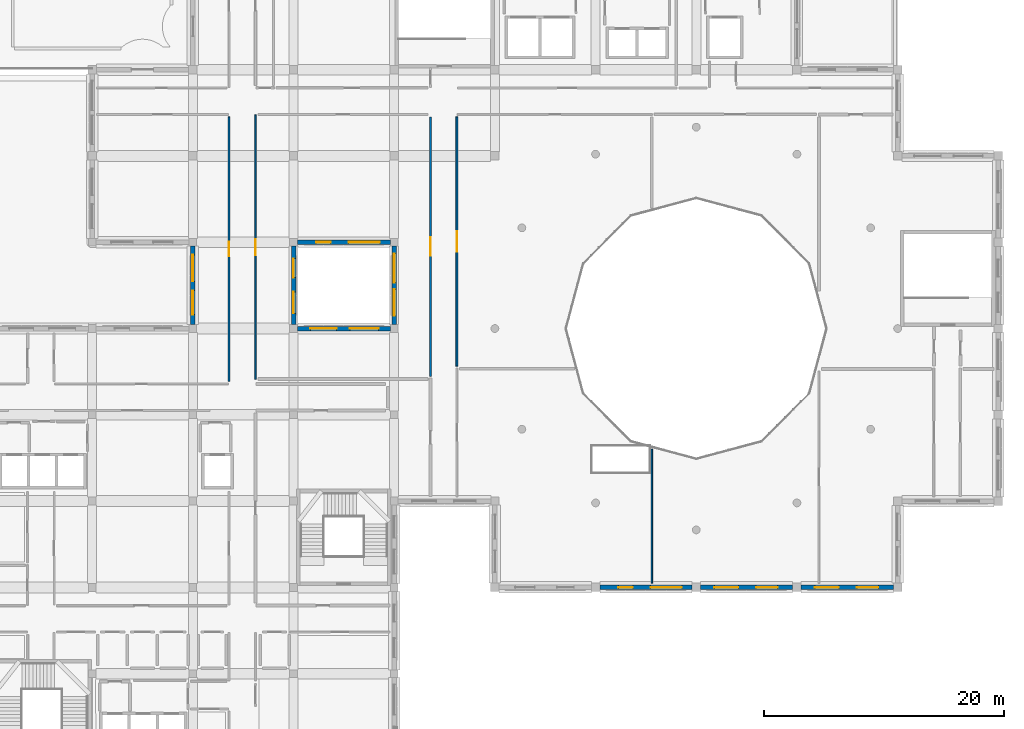
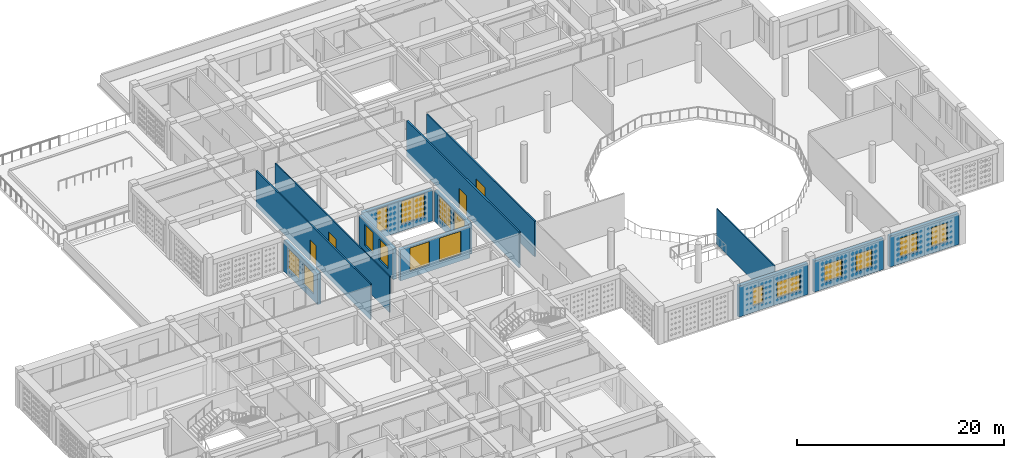
# One storey, part 10 of 47: 16 windows, 13 walls, 4 doors, 20 openings.
"""IFC4 building model written with IfcOpenShell, lengths in metres."""

from ifc_helpers import new_model, si_unit, derived_unit, direction, frame, frame_2d, origin, place, context, subcontext, project, spatial, rectangle, extrude, material, layer, layer_set, type_object, element, fill, save


model = new_model("IFC4")

# Units and contexts
model_context = context("Model", 3, precision=1e-05, world=origin(), true_north=direction((0.0, 1.0)))
body_context = subcontext(model_context, "Body", "Model", "MODEL_VIEW")
ifc_project = project(units=[si_unit("LENGTHUNIT", "METRE"), si_unit("AREAUNIT", "SQUARE_METRE"), si_unit("VOLUMEUNIT", "CUBIC_METRE"), si_unit("PLANEANGLEUNIT", "RADIAN"), si_unit("MASSUNIT", "GRAM", prefix="KILO"), derived_unit("THERMALTRANSMITTANCEUNIT", [(si_unit("POWERUNIT", "WATT"), 1), (si_unit("LENGTHUNIT", "METRE"), -2), (si_unit("THERMODYNAMICTEMPERATUREUNIT", "KELVIN"), -1)])], contexts=[model_context])

# Site, building, storey
site_placement = place(None, origin())
site = spatial("IfcSite", under=ifc_project, at=site_placement, CompositionType="ELEMENT")
building_placement = place(site_placement, origin())
building = spatial("IfcBuilding", under=site, at=building_placement, Name="Veybourne Emporium", CompositionType="ELEMENT")
storey_placement = place(building_placement, frame((0.0, 0.0, 23.39990234375)))
storey = spatial("IfcBuildingStorey", under=building, at=storey_placement, Name="L05", CompositionType="ELEMENT", Elevation=23.39990234375)

# Wall, openings, windows
ifc_material_1 = material(Name="Portland Limestone Ashlar", Category="masonry")
ifc_layer_1 = layer(ifc_material_1, 0.3798828125)
ifc_layer_set_1 = layer_set([ifc_layer_1], Name="Portland Limestone Ashlar")
wall_type_1 = type_object("IfcWallType", Name="ExtWall_EW-03", PredefinedType="SOLIDWALL", material=ifc_layer_set_1)
wall_1_placement = place(storey_placement, frame((42.0, 57.27490234375, 0.0), z_axis=(0.0, 0.0, 1.0), x_axis=(0.0, -1.0, 0.0)))
wall_1 = element("IfcWall", 1, at=wall_1_placement, inside=storey, type_object=wall_type_1, Name="L05 Portland stone external wall 021", PredefinedType="SOLIDWALL", context=body_context, shape_type="SweptSolid", body=[
    extrude(rectangle(XDim=6.5498046875, YDim=0.3798828125, at=frame_2d((3.27490234375, 0.0))), origin(), (0.0, 0.0, 1.0), 3.66015625),
])
opening_1_placement = place(wall_1_placement, frame((1.033935546875, 0.0, 0.75)))
opening_1 = element("IfcOpeningElement", 2, at=opening_1_placement, cuts=wall_1, Name="Opening W-27", PredefinedType="OPENING", context=body_context, shape_type="SweptSolid", body=[
    extrude(rectangle(XDim=1.60009765625, YDim=2.43994140625, at=frame_2d((0.800048828125, 1.219970703125))), frame((0.0, 0.2099609375, 0.0), z_axis=(0.0, -1.0, 0.0), x_axis=(1.0, 0.0, 0.0)), (0.0, 0.0, 1.0), 0.419921875),
])
opening_2_placement = place(wall_1_placement, frame((3.81591796875, 0.0, 0.75)))
opening_2 = element("IfcOpeningElement", 3, at=opening_2_placement, cuts=wall_1, Name="Opening W-28", PredefinedType="OPENING", context=body_context, shape_type="SweptSolid", body=[
    extrude(rectangle(XDim=1.800048828125, YDim=2.43994140625, at=frame_2d((0.89990234375, 1.219970703125))), frame((0.0, 0.2099609375, 0.0), z_axis=(0.0, -1.0, 0.0), x_axis=(1.0, 0.0, 0.0)), (0.0, 0.0, 1.0), 0.419921875),
])
ifc_material_2 = material(Name="Low-E Triple Glazing", Category="glass")
window_type_1 = type_object("IfcWindowType", Name="Win_W-27", PartitioningType="DOUBLE_PANEL_VERTICAL", PredefinedType="WINDOW", material=ifc_material_2)
window_1_placement = place(opening_1_placement, origin())
window_1 = element("IfcWindow", 4, at=window_1_placement, inside=storey, type_object=window_type_1, Name="L05 tripartite bronze casement window W-27 (21.1)", OverallHeight=2.43994140625, OverallWidth=1.60009765625, PartitioningType="DOUBLE_PANEL_VERTICAL", PredefinedType="WINDOW", context=body_context, shape_type="SweptSolid", body=[
    extrude(rectangle(XDim=1.60009765625, YDim=2.43994140625, at=frame_2d((0.800048828125, 1.219970703125))), frame((0.0, 0.030029296875, 0.0), z_axis=(0.0, -1.0, 0.0), x_axis=(1.0, 0.0, 0.0)), (0.0, 0.0, 1.0), 0.06005859375),
])
fill(opening_1, window_1)
window_type_2 = type_object("IfcWindowType", Name="Win_W-28", PartitioningType="DOUBLE_PANEL_VERTICAL", PredefinedType="WINDOW", material=ifc_material_2)
window_2_placement = place(opening_2_placement, origin())
window_2 = element("IfcWindow", 5, at=window_2_placement, inside=storey, type_object=window_type_2, Name="L05 tripartite bronze casement window W-28 (21.2)", OverallHeight=2.43994140625, OverallWidth=1.800048828125, PartitioningType="DOUBLE_PANEL_VERTICAL", PredefinedType="WINDOW", context=body_context, shape_type="SweptSolid", body=[
    extrude(rectangle(XDim=1.800048828125, YDim=2.43994140625, at=frame_2d((0.89990234375, 1.219970703125))), frame((0.0, 0.030029296875, 0.0), z_axis=(0.0, -1.0, 0.0), x_axis=(1.0, 0.0, 0.0)), (0.0, 0.0, 1.0), 0.06005859375),
])
fill(opening_2, window_2)

wall_2_placement = place(storey_placement, frame((33.60009765625, 50.72509765625, 0.0), z_axis=(0.0, 0.0, 1.0), x_axis=(0.0, 1.0, 0.0)))
wall_2 = element("IfcWall", 6, at=wall_2_placement, inside=storey, type_object=wall_type_1, Name="L05 Portland stone external wall 022", PredefinedType="SOLIDWALL", context=body_context, shape_type="SweptSolid", body=[
    extrude(rectangle(XDim=6.5498046875, YDim=0.3798828125, at=frame_2d((3.27490234375, 0.0))), origin(), (0.0, 0.0, 1.0), 3.66015625),
])
opening_3_placement = place(wall_2_placement, frame((0.833984375, 0.0, 0.75)))
opening_3 = element("IfcOpeningElement", 7, at=opening_3_placement, cuts=wall_2, Name="Opening W-29", PredefinedType="OPENING", context=body_context, shape_type="SweptSolid", body=[
    extrude(rectangle(XDim=2.0, YDim=2.43994140625, at=frame_2d((1.0, 1.219970703125))), frame((0.0, 0.2099609375, 0.0), z_axis=(0.0, -1.0, 0.0), x_axis=(1.0, 0.0, 0.0)), (0.0, 0.0, 1.0), 0.419921875),
])
opening_4_placement = place(wall_2_placement, frame((3.615966796875, 0.0, 0.75)))
opening_4 = element("IfcOpeningElement", 8, at=opening_4_placement, cuts=wall_2, Name="Opening W-30", PredefinedType="OPENING", context=body_context, shape_type="SweptSolid", body=[
    extrude(rectangle(XDim=2.199951171875, YDim=2.43994140625, at=frame_2d((1.10009765625, 1.219970703125))), frame((0.0, 0.2099609375, 0.0), z_axis=(0.0, -1.0, 0.0), x_axis=(1.0, 0.0, 0.0)), (0.0, 0.0, 1.0), 0.419921875),
])
window_type_3 = type_object("IfcWindowType", Name="Win_W-29", PartitioningType="TRIPLE_PANEL_VERTICAL", PredefinedType="WINDOW", material=ifc_material_2)
window_3_placement = place(opening_3_placement, origin())
window_3 = element("IfcWindow", 9, at=window_3_placement, inside=storey, type_object=window_type_3, Name="L05 tripartite bronze casement window W-29 (22.1)", OverallHeight=2.43994140625, OverallWidth=2.0, PartitioningType="TRIPLE_PANEL_VERTICAL", PredefinedType="WINDOW", context=body_context, shape_type="SweptSolid", body=[
    extrude(rectangle(XDim=2.0, YDim=2.43994140625, at=frame_2d((1.0, 1.219970703125))), frame((0.0, 0.030029296875, 0.0), z_axis=(0.0, -1.0, 0.0), x_axis=(1.0, 0.0, 0.0)), (0.0, 0.0, 1.0), 0.06005859375),
])
fill(opening_3, window_3)
window_type_4 = type_object("IfcWindowType", Name="Win_W-30", PartitioningType="TRIPLE_PANEL_VERTICAL", PredefinedType="WINDOW", material=ifc_material_2)
window_4_placement = place(opening_4_placement, origin())
window_4 = element("IfcWindow", 10, at=window_4_placement, inside=storey, type_object=window_type_4, Name="L05 tripartite bronze casement window W-30 (22.2)", OverallHeight=2.43994140625, OverallWidth=2.199951171875, PartitioningType="TRIPLE_PANEL_VERTICAL", PredefinedType="WINDOW", context=body_context, shape_type="SweptSolid", body=[
    extrude(rectangle(XDim=2.199951171875, YDim=2.43994140625, at=frame_2d((1.10009765625, 1.219970703125))), frame((0.0, 0.030029296875, 0.0), z_axis=(0.0, -1.0, 0.0), x_axis=(1.0, 0.0, 0.0)), (0.0, 0.0, 1.0), 0.06005859375),
])
fill(opening_4, window_4)

wall_3_placement = place(storey_placement, frame((42.324951171875, 50.39990234375, 0.0), z_axis=(0.0, 0.0, 1.0), x_axis=(1.0, 0.0, 0.0)))
wall_3 = element("IfcWall", 11, at=wall_3_placement, inside=storey, type_object=wall_type_1, Name="L05 Portland stone external wall 032", PredefinedType="SOLIDWALL", context=body_context, shape_type="SweptSolid", body=[
    extrude(rectangle(XDim=7.75, YDim=0.3798828125, at=frame_2d((3.875, 0.0))), origin(), (0.0, 0.0, 1.0), 3.66015625),
])
opening_5_placement = place(wall_3_placement, frame((1.070068359375, 0.0, 0.75)))
opening_5 = element("IfcOpeningElement", 12, at=opening_5_placement, cuts=wall_3, Name="Opening W-46", PredefinedType="OPENING", context=body_context, shape_type="SweptSolid", body=[
    extrude(rectangle(XDim=2.199951171875, YDim=2.760009765625, at=frame_2d((1.10009765625, 1.3798828125))), frame((0.0, 0.2099609375, 0.0), z_axis=(0.0, -1.0, 0.0), x_axis=(1.0, 0.0, 0.0)), (0.0, 0.0, 1.0), 0.419921875),
])
opening_6_placement = place(wall_3_placement, frame((4.3798828125, 0.0, 0.75)))
opening_6 = element("IfcOpeningElement", 13, at=opening_6_placement, cuts=wall_3, Name="Opening W-47", PredefinedType="OPENING", context=body_context, shape_type="SweptSolid", body=[
    extrude(rectangle(XDim=2.39990234375, YDim=2.760009765625, at=frame_2d((1.199951171875, 1.3798828125))), frame((0.0, 0.2099609375, 0.0), z_axis=(0.0, -1.0, 0.0), x_axis=(1.0, 0.0, 0.0)), (0.0, 0.0, 1.0), 0.419921875),
])
window_type_5 = type_object("IfcWindowType", Name="Win_W-46", PartitioningType="TRIPLE_PANEL_VERTICAL", PredefinedType="WINDOW", material=ifc_material_2)
window_5_placement = place(opening_5_placement, origin())
window_5 = element("IfcWindow", 14, at=window_5_placement, inside=storey, type_object=window_type_5, Name="L05 tripartite bronze casement window W-46 (32.1)", OverallHeight=2.760009765625, OverallWidth=2.199951171875, PartitioningType="TRIPLE_PANEL_VERTICAL", PredefinedType="WINDOW", context=body_context, shape_type="SweptSolid", body=[
    extrude(rectangle(XDim=2.199951171875, YDim=2.760009765625, at=frame_2d((1.10009765625, 1.3798828125))), frame((0.0, 0.030029296875, 0.0), z_axis=(0.0, -1.0, 0.0), x_axis=(1.0, 0.0, 0.0)), (0.0, 0.0, 1.0), 0.06005859375),
])
fill(opening_5, window_5)
window_type_6 = type_object("IfcWindowType", Name="Win_W-47", PartitioningType="TRIPLE_PANEL_VERTICAL", PredefinedType="WINDOW", material=ifc_material_2)
window_6_placement = place(opening_6_placement, origin())
window_6 = element("IfcWindow", 15, at=window_6_placement, inside=storey, type_object=window_type_6, Name="L05 tripartite bronze casement window W-47 (32.2)", OverallHeight=2.760009765625, OverallWidth=2.39990234375, PartitioningType="TRIPLE_PANEL_VERTICAL", PredefinedType="WINDOW", context=body_context, shape_type="SweptSolid", body=[
    extrude(rectangle(XDim=2.39990234375, YDim=2.760009765625, at=frame_2d((1.199951171875, 1.3798828125))), frame((0.0, 0.030029296875, 0.0), z_axis=(0.0, -1.0, 0.0), x_axis=(1.0, 0.0, 0.0)), (0.0, 0.0, 1.0), 0.06005859375),
])
fill(opening_6, window_6)

wall_4_placement = place(storey_placement, frame((50.074951171875, 57.60009765625, 0.0), z_axis=(0.0, 0.0, 1.0), x_axis=(-1.0, 0.0, 0.0)))
wall_4 = element("IfcWall", 16, at=wall_4_placement, inside=storey, type_object=wall_type_1, Name="L05 Portland stone external wall 033", PredefinedType="SOLIDWALL", context=body_context, shape_type="SweptSolid", body=[
    extrude(rectangle(XDim=7.75, YDim=0.3798828125, at=frame_2d((3.875, 0.0))), origin(), (0.0, 0.0, 1.0), 3.66015625),
])
opening_7_placement = place(wall_4_placement, frame((0.8701171875, 0.0, 0.75)))
opening_7 = element("IfcOpeningElement", 17, at=opening_7_placement, cuts=wall_4, Name="Opening W-48", PredefinedType="OPENING", context=body_context, shape_type="SweptSolid", body=[
    extrude(rectangle(XDim=2.60009765625, YDim=2.760009765625, at=frame_2d((1.300048828125, 1.3798828125))), frame((0.0, 0.2099609375, 0.0), z_axis=(0.0, -1.0, 0.0), x_axis=(1.0, 0.0, 0.0)), (0.0, 0.0, 1.0), 0.419921875),
])
opening_8_placement = place(wall_4_placement, frame((4.97998046875, 0.0, 0.75)))
opening_8 = element("IfcOpeningElement", 18, at=opening_8_placement, cuts=wall_4, Name="Opening W-49", PredefinedType="OPENING", context=body_context, shape_type="SweptSolid", body=[
    extrude(rectangle(XDim=1.199951171875, YDim=2.760009765625, at=frame_2d((0.60009765625, 1.3798828125))), frame((0.0, 0.2099609375, 0.0), z_axis=(0.0, -1.0, 0.0), x_axis=(1.0, 0.0, 0.0)), (0.0, 0.0, 1.0), 0.419921875),
])
window_type_7 = type_object("IfcWindowType", Name="Win_W-48", PartitioningType="TRIPLE_PANEL_VERTICAL", PredefinedType="WINDOW", material=ifc_material_2)
window_7_placement = place(opening_7_placement, origin())
window_7 = element("IfcWindow", 19, at=window_7_placement, inside=storey, type_object=window_type_7, Name="L05 tripartite bronze casement window W-48 (33.1)", OverallHeight=2.760009765625, OverallWidth=2.60009765625, PartitioningType="TRIPLE_PANEL_VERTICAL", PredefinedType="WINDOW", context=body_context, shape_type="SweptSolid", body=[
    extrude(rectangle(XDim=2.60009765625, YDim=2.760009765625, at=frame_2d((1.300048828125, 1.3798828125))), frame((0.0, 0.030029296875, 0.0), z_axis=(0.0, -1.0, 0.0), x_axis=(1.0, 0.0, 0.0)), (0.0, 0.0, 1.0), 0.06005859375),
])
fill(opening_7, window_7)
window_type_8 = type_object("IfcWindowType", Name="Win_W-49", PartitioningType="SINGLE_PANEL", PredefinedType="WINDOW", material=ifc_material_2)
window_8_placement = place(opening_8_placement, origin())
window_8 = element("IfcWindow", 20, at=window_8_placement, inside=storey, type_object=window_type_8, Name="L05 tripartite bronze casement window W-49 (33.2)", OverallHeight=2.760009765625, OverallWidth=1.199951171875, PartitioningType="SINGLE_PANEL", PredefinedType="WINDOW", context=body_context, shape_type="SweptSolid", body=[
    extrude(rectangle(XDim=1.199951171875, YDim=2.760009765625, at=frame_2d((0.60009765625, 1.3798828125))), frame((0.0, 0.030029296875, 0.0), z_axis=(0.0, -1.0, 0.0), x_axis=(1.0, 0.0, 0.0)), (0.0, 0.0, 1.0), 0.06005859375),
])
fill(opening_8, window_8)

wall_5_placement = place(storey_placement, frame((50.39990234375, 50.72509765625, 0.0), z_axis=(0.0, 0.0, 1.0), x_axis=(0.0, 1.0, 0.0)))
wall_5 = element("IfcWall", 21, at=wall_5_placement, inside=storey, type_object=wall_type_1, Name="L05 Portland stone external wall 036", PredefinedType="SOLIDWALL", context=body_context, shape_type="SweptSolid", body=[
    extrude(rectangle(XDim=6.5498046875, YDim=0.3798828125, at=frame_2d((3.27490234375, 0.0))), origin(), (0.0, 0.0, 1.0), 3.66015625),
])
opening_9_placement = place(wall_5_placement, frame((0.73388671875, 0.0, 0.75)))
opening_9 = element("IfcOpeningElement", 22, at=opening_9_placement, cuts=wall_5, Name="Opening W-54", PredefinedType="OPENING", context=body_context, shape_type="SweptSolid", body=[
    extrude(rectangle(XDim=2.199951171875, YDim=2.760009765625, at=frame_2d((1.10009765625, 1.3798828125))), frame((0.0, 0.2099609375, 0.0), z_axis=(0.0, -1.0, 0.0), x_axis=(1.0, 0.0, 0.0)), (0.0, 0.0, 1.0), 0.419921875),
])
opening_10_placement = place(wall_5_placement, frame((3.51611328125, 0.0, 0.75)))
opening_10 = element("IfcOpeningElement", 23, at=opening_10_placement, cuts=wall_5, Name="Opening W-55", PredefinedType="OPENING", context=body_context, shape_type="SweptSolid", body=[
    extrude(rectangle(XDim=2.39990234375, YDim=2.760009765625, at=frame_2d((1.199951171875, 1.3798828125))), frame((0.0, 0.2099609375, 0.0), z_axis=(0.0, -1.0, 0.0), x_axis=(1.0, 0.0, 0.0)), (0.0, 0.0, 1.0), 0.419921875),
])
window_type_9 = type_object("IfcWindowType", Name="Win_W-54", PartitioningType="TRIPLE_PANEL_VERTICAL", PredefinedType="WINDOW", material=ifc_material_2)
window_9_placement = place(opening_9_placement, origin())
window_9 = element("IfcWindow", 24, at=window_9_placement, inside=storey, type_object=window_type_9, Name="L05 tripartite bronze casement window W-54 (36.1)", OverallHeight=2.760009765625, OverallWidth=2.199951171875, PartitioningType="TRIPLE_PANEL_VERTICAL", PredefinedType="WINDOW", context=body_context, shape_type="SweptSolid", body=[
    extrude(rectangle(XDim=2.199951171875, YDim=2.760009765625, at=frame_2d((1.10009765625, 1.3798828125))), frame((0.0, 0.030029296875, 0.0), z_axis=(0.0, -1.0, 0.0), x_axis=(1.0, 0.0, 0.0)), (0.0, 0.0, 1.0), 0.06005859375),
])
fill(opening_9, window_9)
window_type_10 = type_object("IfcWindowType", Name="Win_W-55", PartitioningType="TRIPLE_PANEL_VERTICAL", PredefinedType="WINDOW", material=ifc_material_2)
window_10_placement = place(opening_10_placement, origin())
window_10 = element("IfcWindow", 25, at=window_10_placement, inside=storey, type_object=window_type_10, Name="L05 tripartite bronze casement window W-55 (36.2)", OverallHeight=2.760009765625, OverallWidth=2.39990234375, PartitioningType="TRIPLE_PANEL_VERTICAL", PredefinedType="WINDOW", context=body_context, shape_type="SweptSolid", body=[
    extrude(rectangle(XDim=2.39990234375, YDim=2.760009765625, at=frame_2d((1.199951171875, 1.3798828125))), frame((0.0, 0.030029296875, 0.0), z_axis=(0.0, -1.0, 0.0), x_axis=(1.0, 0.0, 0.0)), (0.0, 0.0, 1.0), 0.06005859375),
])
fill(opening_10, window_10)

wall_6_placement = place(storey_placement, frame((75.25, 28.800048828125, 0.0), z_axis=(0.0, 0.0, 1.0), x_axis=(-1.0, 0.0, 0.0)))
wall_6 = element("IfcWall", 26, at=wall_6_placement, inside=storey, type_object=wall_type_1, Name="L05 Portland stone external wall 041", PredefinedType="SOLIDWALL", context=body_context, shape_type="SweptSolid", body=[
    extrude(rectangle(XDim=7.699951171875, YDim=0.3798828125, at=frame_2d((3.85009765625, 0.0))), origin(), (0.0, 0.0, 1.0), 3.66015625),
])
opening_11_placement = place(wall_6_placement, frame((0.85595703125, 0.0, 0.75)))
opening_11 = element("IfcOpeningElement", 27, at=opening_11_placement, cuts=wall_6, Name="Opening W-08", PredefinedType="OPENING", context=body_context, shape_type="SweptSolid", body=[
    extrude(rectangle(XDim=2.60009765625, YDim=1.89990234375, at=frame_2d((1.300048828125, 0.949951171875))), frame((0.0, 0.2099609375, 0.0), z_axis=(0.0, -1.0, 0.0), x_axis=(1.0, 0.0, 0.0)), (0.0, 0.0, 1.0), 0.419921875),
])
opening_12_placement = place(wall_6_placement, frame((4.944091796875, 0.0, 0.75)))
opening_12 = element("IfcOpeningElement", 28, at=opening_12_placement, cuts=wall_6, Name="Opening W-09", PredefinedType="OPENING", context=body_context, shape_type="SweptSolid", body=[
    extrude(rectangle(XDim=1.199951171875, YDim=2.080078125, at=frame_2d((0.60009765625, 1.0400390625))), frame((0.0, 0.2099609375, 0.0), z_axis=(0.0, -1.0, 0.0), x_axis=(1.0, 0.0, 0.0)), (0.0, 0.0, 1.0), 0.419921875),
])
window_type_11 = type_object("IfcWindowType", Name="Win_W-08", PartitioningType="TRIPLE_PANEL_VERTICAL", PredefinedType="WINDOW", material=ifc_material_2)
window_11_placement = place(opening_11_placement, origin())
window_11 = element("IfcWindow", 29, at=window_11_placement, inside=storey, type_object=window_type_11, Name="L05 tripartite bronze casement window W-08 (41.1)", OverallHeight=1.89990234375, OverallWidth=2.60009765625, PartitioningType="TRIPLE_PANEL_VERTICAL", PredefinedType="WINDOW", context=body_context, shape_type="SweptSolid", body=[
    extrude(rectangle(XDim=2.60009765625, YDim=1.89990234375, at=frame_2d((1.300048828125, 0.949951171875))), frame((0.0, 0.030029296875, 0.0), z_axis=(0.0, -1.0, 0.0), x_axis=(1.0, 0.0, 0.0)), (0.0, 0.0, 1.0), 0.06005859375),
])
fill(opening_11, window_11)
window_type_12 = type_object("IfcWindowType", Name="Win_W-09", PartitioningType="SINGLE_PANEL", PredefinedType="WINDOW", material=ifc_material_2)
window_12_placement = place(opening_12_placement, origin())
window_12 = element("IfcWindow", 30, at=window_12_placement, inside=storey, type_object=window_type_12, Name="L05 tripartite bronze casement window W-09 (41.2)", OverallHeight=2.080078125, OverallWidth=1.199951171875, PartitioningType="SINGLE_PANEL", PredefinedType="WINDOW", context=body_context, shape_type="SweptSolid", body=[
    extrude(rectangle(XDim=1.199951171875, YDim=2.080078125, at=frame_2d((0.60009765625, 1.0400390625))), frame((0.0, 0.030029296875, 0.0), z_axis=(0.0, -1.0, 0.0), x_axis=(1.0, 0.0, 0.0)), (0.0, 0.0, 1.0), 0.06005859375),
])
fill(opening_12, window_12)

wall_7_placement = place(storey_placement, frame((83.64990234375, 28.800048828125, 0.0), z_axis=(0.0, 0.0, 1.0), x_axis=(-1.0, 0.0, 0.0)))
wall_7 = element("IfcWall", 31, at=wall_7_placement, inside=storey, type_object=wall_type_1, Name="L05 Portland stone external wall 043", PredefinedType="SOLIDWALL", context=body_context, shape_type="SweptSolid", body=[
    extrude(rectangle(XDim=7.699951171875, YDim=0.3798828125, at=frame_2d((3.85009765625, 0.0))), origin(), (0.0, 0.0, 1.0), 3.66015625),
])
opening_13_placement = place(wall_7_placement, frame((1.256103515625, 0.0, 0.75)))
opening_13 = element("IfcOpeningElement", 32, at=opening_13_placement, cuts=wall_7, Name="Opening W-12", PredefinedType="OPENING", context=body_context, shape_type="SweptSolid", body=[
    extrude(rectangle(XDim=1.800048828125, YDim=2.080078125, at=frame_2d((0.89990234375, 1.0400390625))), frame((0.0, 0.2099609375, 0.0), z_axis=(0.0, -1.0, 0.0), x_axis=(1.0, 0.0, 0.0)), (0.0, 0.0, 1.0), 0.419921875),
])
opening_14_placement = place(wall_7_placement, frame((4.5439453125, 0.0, 0.75)))
opening_14 = element("IfcOpeningElement", 33, at=opening_14_placement, cuts=wall_7, Name="Opening W-13", PredefinedType="OPENING", context=body_context, shape_type="SweptSolid", body=[
    extrude(rectangle(XDim=2.0, YDim=2.080078125, at=frame_2d((1.0, 1.0400390625))), frame((0.0, 0.2099609375, 0.0), z_axis=(0.0, -1.0, 0.0), x_axis=(1.0, 0.0, 0.0)), (0.0, 0.0, 1.0), 0.419921875),
])
window_type_13 = type_object("IfcWindowType", Name="Win_W-12", PartitioningType="DOUBLE_PANEL_VERTICAL", PredefinedType="WINDOW", material=ifc_material_2)
window_13_placement = place(opening_13_placement, origin())
window_13 = element("IfcWindow", 34, at=window_13_placement, inside=storey, type_object=window_type_13, Name="L05 tripartite bronze casement window W-12 (43.1)", OverallHeight=2.080078125, OverallWidth=1.800048828125, PartitioningType="DOUBLE_PANEL_VERTICAL", PredefinedType="WINDOW", context=body_context, shape_type="SweptSolid", body=[
    extrude(rectangle(XDim=1.800048828125, YDim=2.080078125, at=frame_2d((0.89990234375, 1.0400390625))), frame((0.0, 0.030029296875, 0.0), z_axis=(0.0, -1.0, 0.0), x_axis=(1.0, 0.0, 0.0)), (0.0, 0.0, 1.0), 0.06005859375),
])
fill(opening_13, window_13)
window_type_14 = type_object("IfcWindowType", Name="Win_W-13", PartitioningType="TRIPLE_PANEL_VERTICAL", PredefinedType="WINDOW", material=ifc_material_2)
window_14_placement = place(opening_14_placement, origin())
window_14 = element("IfcWindow", 35, at=window_14_placement, inside=storey, type_object=window_type_14, Name="L05 tripartite bronze casement window W-13 (43.2)", OverallHeight=2.080078125, OverallWidth=2.0, PartitioningType="TRIPLE_PANEL_VERTICAL", PredefinedType="WINDOW", context=body_context, shape_type="SweptSolid", body=[
    extrude(rectangle(XDim=2.0, YDim=2.080078125, at=frame_2d((1.0, 1.0400390625))), frame((0.0, 0.030029296875, 0.0), z_axis=(0.0, -1.0, 0.0), x_axis=(1.0, 0.0, 0.0)), (0.0, 0.0, 1.0), 0.06005859375),
])
fill(opening_14, window_14)

wall_8_placement = place(storey_placement, frame((92.050048828125, 28.800048828125, 0.0), z_axis=(0.0, 0.0, 1.0), x_axis=(-1.0, 0.0, 0.0)))
wall_8 = element("IfcWall", 36, at=wall_8_placement, inside=storey, type_object=wall_type_1, Name="L05 Portland stone external wall 047", PredefinedType="SOLIDWALL", context=body_context, shape_type="SweptSolid", body=[
    extrude(rectangle(XDim=7.699951171875, YDim=0.3798828125, at=frame_2d((3.85009765625, 0.0))), origin(), (0.0, 0.0, 1.0), 3.66015625),
])
opening_15_placement = place(wall_8_placement, frame((1.256103515625, 0.0, 0.75)))
opening_15 = element("IfcOpeningElement", 37, at=opening_15_placement, cuts=wall_8, Name="Opening W-20", PredefinedType="OPENING", context=body_context, shape_type="SweptSolid", body=[
    extrude(rectangle(XDim=1.800048828125, YDim=2.260009765625, at=frame_2d((0.89990234375, 1.1298828125))), frame((0.0, 0.2099609375, 0.0), z_axis=(0.0, -1.0, 0.0), x_axis=(1.0, 0.0, 0.0)), (0.0, 0.0, 1.0), 0.419921875),
])
opening_16_placement = place(wall_8_placement, frame((4.5439453125, 0.0, 0.75)))
opening_16 = element("IfcOpeningElement", 38, at=opening_16_placement, cuts=wall_8, Name="Opening W-21", PredefinedType="OPENING", context=body_context, shape_type="SweptSolid", body=[
    extrude(rectangle(XDim=2.0, YDim=2.260009765625, at=frame_2d((1.0, 1.1298828125))), frame((0.0, 0.2099609375, 0.0), z_axis=(0.0, -1.0, 0.0), x_axis=(1.0, 0.0, 0.0)), (0.0, 0.0, 1.0), 0.419921875),
])
window_type_15 = type_object("IfcWindowType", Name="Win_W-20", PartitioningType="DOUBLE_PANEL_VERTICAL", PredefinedType="WINDOW", material=ifc_material_2)
window_15_placement = place(opening_15_placement, origin())
window_15 = element("IfcWindow", 39, at=window_15_placement, inside=storey, type_object=window_type_15, Name="L05 tripartite bronze casement window W-20 (47.1)", OverallHeight=2.260009765625, OverallWidth=1.800048828125, PartitioningType="DOUBLE_PANEL_VERTICAL", PredefinedType="WINDOW", context=body_context, shape_type="SweptSolid", body=[
    extrude(rectangle(XDim=1.800048828125, YDim=2.260009765625, at=frame_2d((0.89990234375, 1.1298828125))), frame((0.0, 0.030029296875, 0.0), z_axis=(0.0, -1.0, 0.0), x_axis=(1.0, 0.0, 0.0)), (0.0, 0.0, 1.0), 0.06005859375),
])
fill(opening_15, window_15)
window_type_16 = type_object("IfcWindowType", Name="Win_W-21", PartitioningType="TRIPLE_PANEL_VERTICAL", PredefinedType="WINDOW", material=ifc_material_2)
window_16_placement = place(opening_16_placement, origin())
window_16 = element("IfcWindow", 40, at=window_16_placement, inside=storey, type_object=window_type_16, Name="L05 tripartite bronze casement window W-21 (47.2)", OverallHeight=2.260009765625, OverallWidth=2.0, PartitioningType="TRIPLE_PANEL_VERTICAL", PredefinedType="WINDOW", context=body_context, shape_type="SweptSolid", body=[
    extrude(rectangle(XDim=2.0, YDim=2.260009765625, at=frame_2d((1.0, 1.1298828125))), frame((0.0, 0.030029296875, 0.0), z_axis=(0.0, -1.0, 0.0), x_axis=(1.0, 0.0, 0.0)), (0.0, 0.0, 1.0), 0.06005859375),
])
fill(opening_16, window_16)

# Wall, opening, door
ifc_material_3 = material(Name="Gypsum Acoustic Board", Category="gypsum")
ifc_layer_2 = layer(ifc_material_3, 0.179931640625)
ifc_layer_set_2 = layer_set([ifc_layer_2], Name="Gypsum Acoustic Board")
wall_type_2 = type_object("IfcWallType", Name="IntWall_IW-01", PredefinedType="PARTITIONING", material=ifc_layer_set_2)
wall_9_placement = place(storey_placement, frame((53.419921875, 46.4150390625, 0.0), z_axis=(0.0, 0.0, 1.0), x_axis=(0.0, 1.0, 0.0)))
wall_9 = element("IfcWall", 41, at=wall_9_placement, inside=storey, type_object=wall_type_2, Name="L05 interior partition IW-01 #003", PredefinedType="PARTITIONING", context=body_context, shape_type="SweptSolid", body=[
    extrude(rectangle(XDim=21.64501953125, YDim=0.179931640625, at=frame_2d((10.822509765625, 0.0))), origin(), (0.0, 0.0, 1.0), 4.210205078125),
])
opening_17_placement = place(wall_9_placement, frame((10.0625, 0.0, 0.0)))
opening_17 = element("IfcOpeningElement", 42, at=opening_17_placement, cuts=wall_9, Name="Opening D-29", PredefinedType="OPENING", context=body_context, shape_type="SweptSolid", body=[
    extrude(rectangle(XDim=1.52001953125, YDim=2.3701171875, at=frame_2d((0.760009765625, 1.18505859375))), frame((0.0, 0.10986328125, 0.0), z_axis=(0.0, -1.0, 0.0), x_axis=(1.0, 0.0, 0.0)), (0.0, 0.0, 1.0), 0.219970703125),
])
ifc_material_4 = material(Name="European Oak Veneer and Bronze", Category="wood")
door_type_1 = type_object("IfcDoorType", Name="IntDoor_D-29", OperationType="NOTDEFINED", PredefinedType="DOOR", material=ifc_material_4)
door_1_placement = place(opening_17_placement, origin())
door_1 = element("IfcDoor", 43, at=door_1_placement, inside=storey, type_object=door_type_1, Name="L05 interior door D-29 (PART-L05-003)", OperationType="SINGLE_SWING_LEFT", OverallHeight=2.3701171875, OverallWidth=1.52001953125, PredefinedType="DOOR", context=body_context, shape_type="SweptSolid", body=[
    extrude(rectangle(XDim=1.52001953125, YDim=2.3701171875, at=frame_2d((0.760009765625, 1.18505859375))), frame((0.0, 0.02490234375, 0.0), z_axis=(0.0, -1.0, 0.0), x_axis=(1.0, 0.0, 0.0)), (0.0, 0.0, 1.0), 0.050048828125),
])
fill(opening_17, door_1)

ifc_layer_3 = layer(ifc_material_3, 0.14990234375)
ifc_layer_set_3 = layer_set([ifc_layer_3], Name="Gypsum Acoustic Board")
wall_type_3 = type_object("IfcWallType", Name="IntWall_IW-02", PredefinedType="PARTITIONING", material=ifc_layer_set_3)
wall_10_placement = place(storey_placement, frame((36.6201171875, 45.989990234375, 0.0), z_axis=(0.0, 0.0, 1.0), x_axis=(0.0, 1.0, 0.0)))
wall_10 = element("IfcWall", 44, at=wall_10_placement, inside=storey, type_object=wall_type_3, Name="L05 interior partition IW-02 #001", PredefinedType="PARTITIONING", context=body_context, shape_type="SweptSolid", body=[
    extrude(rectangle(XDim=22.070068359375, YDim=0.14990234375, at=frame_2d((11.03515625, 0.0))), origin(), (0.0, 0.0, 1.0), 4.210205078125),
])
opening_18_placement = place(wall_10_placement, frame((10.43505859375, 0.0, 0.0)))
opening_18 = element("IfcOpeningElement", 45, at=opening_18_placement, cuts=wall_10, Name="Opening D-27", PredefinedType="OPENING", context=body_context, shape_type="SweptSolid", body=[
    extrude(rectangle(XDim=1.199951171875, YDim=2.3701171875, at=frame_2d((0.60009765625, 1.18505859375))), frame((0.0, 0.094970703125, 0.0), z_axis=(0.0, -1.0, 0.0), x_axis=(1.0, 0.0, 0.0)), (0.0, 0.0, 1.0), 0.18994140625),
])
door_type_2 = type_object("IfcDoorType", Name="IntDoor_D-27", OperationType="NOTDEFINED", PredefinedType="DOOR", material=ifc_material_4)
door_2_placement = place(opening_18_placement, origin())
door_2 = element("IfcDoor", 46, at=door_2_placement, inside=storey, type_object=door_type_2, Name="L05 interior door D-27 (PART-L05-001)", OperationType="SINGLE_SWING_LEFT", OverallHeight=2.3701171875, OverallWidth=1.199951171875, PredefinedType="DOOR", context=body_context, shape_type="SweptSolid", body=[
    extrude(rectangle(XDim=1.199951171875, YDim=2.3701171875, at=frame_2d((0.60009765625, 1.18505859375))), frame((0.0, 0.02490234375, 0.0), z_axis=(0.0, -1.0, 0.0), x_axis=(1.0, 0.0, 0.0)), (0.0, 0.0, 1.0), 0.050048828125),
])
fill(opening_18, door_2)

wall_11_placement = place(storey_placement, frame((55.6298828125, 47.2548828125, 0.0), z_axis=(0.0, 0.0, 1.0), x_axis=(0.0, 1.0, 0.0)))
wall_11 = element("IfcWall", 47, at=wall_11_placement, inside=storey, type_object=wall_type_3, Name="L05 interior partition IW-02 #004", PredefinedType="PARTITIONING", context=body_context, shape_type="SweptSolid", body=[
    extrude(rectangle(XDim=20.80517578125, YDim=0.14990234375, at=frame_2d((10.402587890625, 0.0))), origin(), (0.0, 0.0, 1.0), 4.210205078125),
])
opening_19_placement = place(wall_11_placement, frame((9.5625, 0.0, 0.0)))
opening_19 = element("IfcOpeningElement", 48, at=opening_19_placement, cuts=wall_11, Name="Opening D-30", PredefinedType="OPENING", context=body_context, shape_type="SweptSolid", body=[
    extrude(rectangle(XDim=1.679931640625, YDim=2.3701171875, at=frame_2d((0.83984375, 1.18505859375))), frame((0.0, 0.094970703125, 0.0), z_axis=(0.0, -1.0, 0.0), x_axis=(1.0, 0.0, 0.0)), (0.0, 0.0, 1.0), 0.18994140625),
])
door_type_3 = type_object("IfcDoorType", Name="IntDoor_D-30", OperationType="DOUBLE_DOOR_SINGLE_SWING", PredefinedType="DOOR", material=ifc_material_4)
door_3_placement = place(opening_19_placement, origin())
door_3 = element("IfcDoor", 49, at=door_3_placement, inside=storey, type_object=door_type_3, Name="L05 interior door D-30 (PART-L05-004)", OperationType="DOUBLE_DOOR_SINGLE_SWING", OverallHeight=2.3701171875, OverallWidth=1.679931640625, PredefinedType="DOOR", context=body_context, shape_type="SweptSolid", body=[
    extrude(rectangle(XDim=1.679931640625, YDim=2.3701171875, at=frame_2d((0.83984375, 1.18505859375))), frame((0.0, 0.02490234375, 0.0), z_axis=(0.0, -1.0, 0.0), x_axis=(1.0, 0.0, 0.0)), (0.0, 0.0, 1.0), 0.050048828125),
])
fill(opening_19, door_3)

ifc_layer_4 = layer(ifc_material_3, 0.1201171875)
ifc_layer_set_4 = layer_set([ifc_layer_4], Name="Gypsum Acoustic Board")
wall_type_4 = type_object("IfcWallType", Name="IntWall_IW-03", PredefinedType="PARTITIONING", material=ifc_layer_set_4)
wall_12_placement = place(storey_placement, frame((38.830078125, 46.155029296875, 0.0), z_axis=(0.0, 0.0, 1.0), x_axis=(0.0, 1.0, 0.0)))
wall_12 = element("IfcWall", 50, at=wall_12_placement, inside=storey, type_object=wall_type_4, Name="L05 interior partition IW-03 #002", PredefinedType="PARTITIONING", context=body_context, shape_type="SweptSolid", body=[
    extrude(rectangle(XDim=22.06494140625, YDim=0.1201171875, at=frame_2d((11.032470703125, 0.0))), origin(), (0.0, 0.0, 1.0), 4.210205078125),
])
opening_20_placement = place(wall_12_placement, frame((10.3525390625, 0.0, 0.0)))
opening_20 = element("IfcOpeningElement", 51, at=opening_20_placement, cuts=wall_12, Name="Opening D-28", PredefinedType="OPENING", context=body_context, shape_type="SweptSolid", body=[
    extrude(rectangle(XDim=1.360107421875, YDim=2.3701171875, at=frame_2d((0.68017578125, 1.18505859375))), frame((0.0, 0.080078125, 0.0), z_axis=(0.0, -1.0, 0.0), x_axis=(1.0, 0.0, 0.0)), (0.0, 0.0, 1.0), 0.16015625),
])
door_type_4 = type_object("IfcDoorType", Name="IntDoor_D-28", OperationType="NOTDEFINED", PredefinedType="DOOR", material=ifc_material_4)
door_4_placement = place(opening_20_placement, origin())
door_4 = element("IfcDoor", 52, at=door_4_placement, inside=storey, type_object=door_type_4, Name="L05 interior door D-28 (PART-L05-002)", OperationType="SINGLE_SWING_RIGHT", OverallHeight=2.3701171875, OverallWidth=1.360107421875, PredefinedType="DOOR", context=body_context, shape_type="SweptSolid", body=[
    extrude(rectangle(XDim=1.360107421875, YDim=2.3701171875, at=frame_2d((0.68017578125, 1.18505859375))), frame((0.0, 0.02490234375, 0.0), z_axis=(0.0, -1.0, 0.0), x_axis=(1.0, 0.0, 0.0)), (0.0, 0.0, 1.0), 0.050048828125),
])
fill(opening_20, door_4)

# Wall
wall_13_placement = place(storey_placement, frame((71.889892578125, 29.169921875, 0.0), z_axis=(0.0, 0.0, 1.0), x_axis=(0.0, 1.0, 0.0)))
element("IfcWall", 53, at=wall_13_placement, inside=storey, type_object=wall_type_4, Name="L05 interior partition IW-03 #104", PredefinedType="PARTITIONING", context=body_context, shape_type="SweptSolid", body=[
    extrude(rectangle(XDim=11.16015625, YDim=0.1201171875, at=frame_2d((5.580078125, 0.0))), origin(), (0.0, 0.0, 1.0), 4.210205078125),
])

save(model, "model.ifc")
